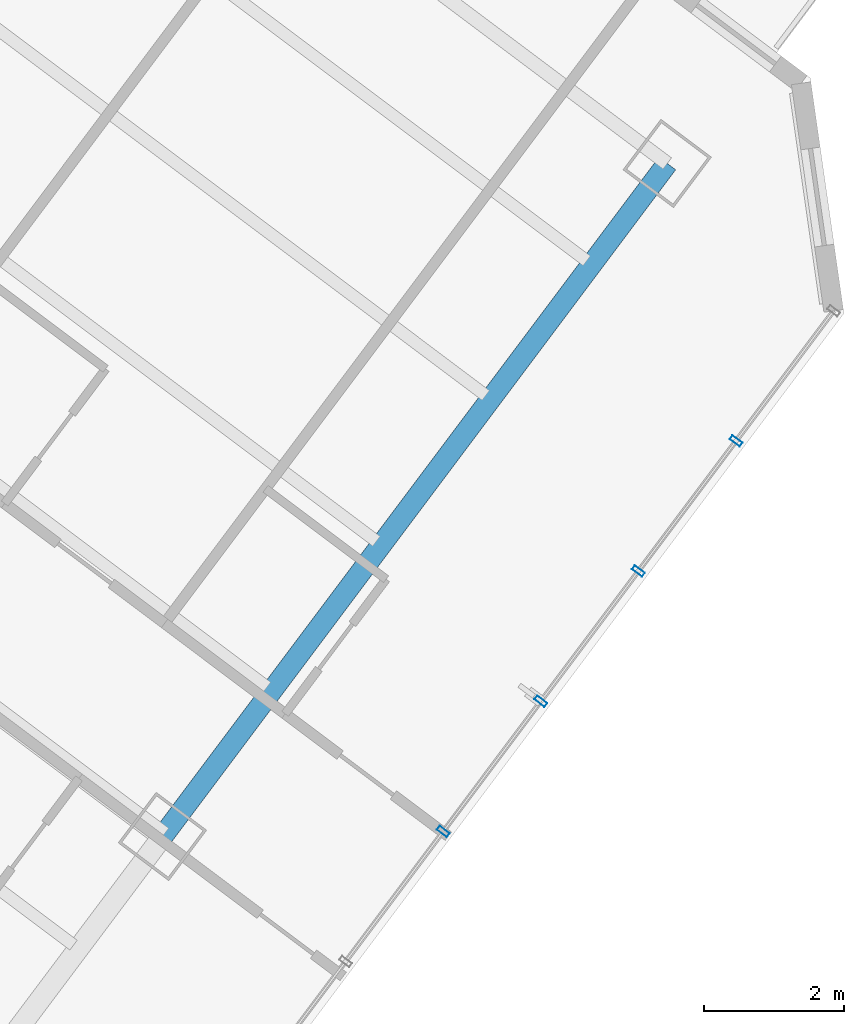
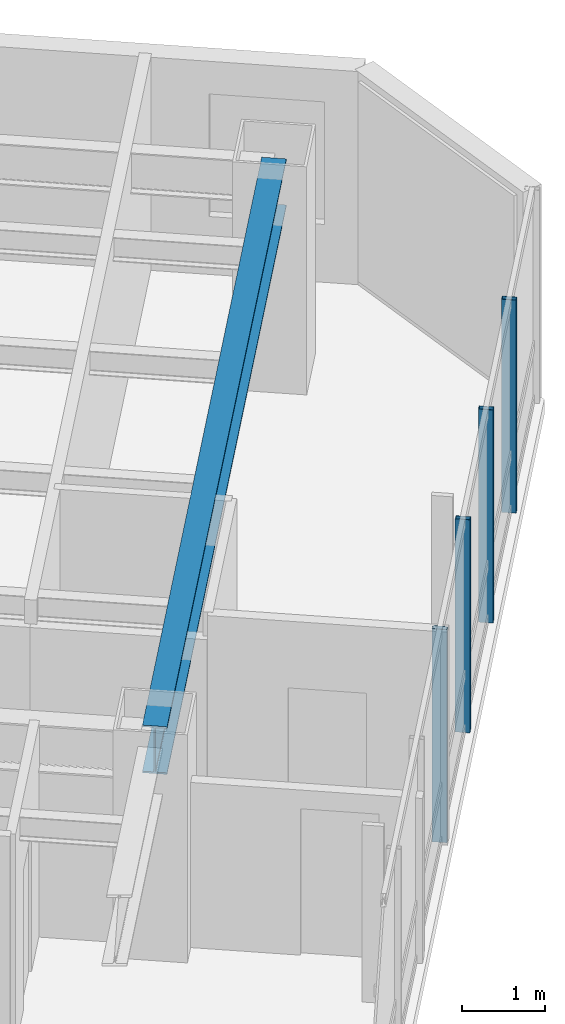
# One storey, part 10 of 31: 4 members, 1 beam, 1 element without a shape of its own.
"""IFC4 building model written with IfcOpenShell, lengths in metres."""

from ifc_helpers import new_model, si_unit, direction, frame, origin, origin_2d, place, context, subcontext, project, spatial, hollow_rectangle, i_section, extrude, material, layer, layer_set, material_profile, profile_set, type_object, element, aggregate, save


model = new_model("IFC4")

# Units and contexts
model_context = context("Model", 3, precision=1e-05, world=origin(), true_north=direction((0.0, 1.0)))
body_context = subcontext(model_context, "Body", "Model", "MODEL_VIEW")
ifc_project = project(units=[si_unit("LENGTHUNIT", "METRE"), si_unit("AREAUNIT", "SQUARE_METRE"), si_unit("VOLUMEUNIT", "CUBIC_METRE"), si_unit("PLANEANGLEUNIT", "RADIAN"), si_unit("MASSUNIT", "GRAM", prefix="KILO")], contexts=[model_context])

# Site, building, storey
site_placement = place(None, origin())
site = spatial("IfcSite", under=ifc_project, at=site_placement, CompositionType="ELEMENT")
building_placement = place(site_placement, origin())
building = spatial("IfcBuilding", under=site, at=building_placement, Name="Hatsunagi Terrace Concourse", CompositionType="ELEMENT")
storey_placement = place(building_placement, frame((0.0, 0.0, 81.300048828125)))
storey = spatial("IfcBuildingStorey", under=building, at=storey_placement, Name="L21", CompositionType="ELEMENT", Elevation=81.300048828125)

# Curtain wall, members
ifc_material_1 = material(Name="Anodised Aluminium Alloy 6063-T5", Category="aluminium")
ifc_layer = layer(ifc_material_1, 0.199951171875)
ifc_layer_set = layer_set([ifc_layer], Name="HotelFacade_CW02")
curtain_wall_type = type_object("IfcCurtainWallType", Name="HotelFacade_CW02", PredefinedType="NOTDEFINED", material=ifc_layer_set)
curtain_wall_placement = place(storey_placement, origin())
curtain_wall = element("IfcCurtainWall", 1, at=curtain_wall_placement, inside=storey, type_object=curtain_wall_type, Name="Unitised Curtain Wall CW-02 CW-L21-03", PredefinedType="NOTDEFINED")
ifc_material_2 = material(Name="Anodised Aluminium Alloy 6063-T5", Category="aluminium")
ifc_material_profile_1 = material_profile(ifc_material_2, hollow_rectangle(XDim=0.070068359375, YDim=0.179931640625, WallThickness=0.00390625, at=origin_2d()), Name="ALU-MUL-180x70x4")
ifc_profile_set_1 = profile_set([ifc_material_profile_1], Name="Anodised Aluminium Alloy 6063-T5")
member_type = type_object("IfcMemberType", Name="CurtainWallMullion_180x70", PredefinedType="MULLION", material=ifc_profile_set_1)
member_1_placement = place(storey_placement, frame((67.700927734375, 17.802001953125, 0.0), z_axis=(0.0, 0.0, 1.0), x_axis=(-0.599969314634, -0.800023013105, 0.0)))
member_1 = element("IfcMember", 2, at=member_1_placement, type_object=member_type, Name="Curtain Wall Mullion MUL-02", PredefinedType="MULLION", context=body_context, shape_type="SweptSolid", body=[
    extrude(hollow_rectangle(XDim=0.070068359375, YDim=0.179931640625, WallThickness=0.00390625, at=origin_2d()), origin(), (0.0, 0.0, 1.0), 3.1298828125),
])
member_2_placement = place(storey_placement, frame((66.30908203125, 15.945068359375, 0.0), z_axis=(0.0, 0.0, 1.0), x_axis=(-0.599969314634, -0.800023013105, 0.0)))
member_2 = element("IfcMember", 3, at=member_2_placement, type_object=member_type, Name="Curtain Wall Mullion MUL-02", PredefinedType="MULLION", context=body_context, shape_type="SweptSolid", body=[
    extrude(hollow_rectangle(XDim=0.070068359375, YDim=0.179931640625, WallThickness=0.00390625, at=origin_2d()), origin(), (0.0, 0.0, 1.0), 3.1298828125),
])
member_3_placement = place(storey_placement, frame((64.916015625, 14.089111328125, 0.0), z_axis=(0.0, 0.0, 1.0), x_axis=(-0.599969314634, -0.800023013105, 0.0)))
member_3 = element("IfcMember", 4, at=member_3_placement, type_object=member_type, Name="Curtain Wall Mullion MUL-02", PredefinedType="MULLION", context=body_context, shape_type="SweptSolid", body=[
    extrude(hollow_rectangle(XDim=0.070068359375, YDim=0.179931640625, WallThickness=0.00390625, at=origin_2d()), origin(), (0.0, 0.0, 1.0), 3.1298828125),
])
member_4_placement = place(storey_placement, frame((63.52392578125, 12.23193359375, 0.0), z_axis=(0.0, 0.0, 1.0), x_axis=(-0.599969314634, -0.800023013105, 0.0)))
member_4 = element("IfcMember", 5, at=member_4_placement, type_object=member_type, Name="Curtain Wall Mullion MUL-02", PredefinedType="MULLION", context=body_context, shape_type="SweptSolid", body=[
    extrude(hollow_rectangle(XDim=0.070068359375, YDim=0.179931640625, WallThickness=0.00390625, at=origin_2d()), origin(), (0.0, 0.0, 1.0), 3.1298828125),
])
aggregate(curtain_wall, [member_1, member_2, member_3, member_4])

# Beam
ifc_material_3 = material(Name="Steel SN490B", Category="steel")
ifc_material_profile_2 = material_profile(ifc_material_3, i_section(OverallWidth=0.300048828125, OverallDepth=0.699951171875, WebThickness=0.012939453125, FlangeThickness=0.02392578125, FilletRadius=0.02197265625, at=origin_2d()), Name="H-700x300x13x24")
ifc_profile_set_2 = profile_set([ifc_material_profile_2], Name="Steel SN490B")
beam_type = type_object("IfcBeamType", Name="HotelFloorGirder_H_700x300", PredefinedType="BEAM", material=ifc_profile_set_2)
beam_placement = place(storey_placement, frame((59.52001953125, 12.159912109375, 2.780029296875), z_axis=(0.59999348959, 0.800004882766, 0.0), x_axis=(-0.800004882766, 0.59999348959, 0.0)))
element("IfcBeam", 6, at=beam_placement, inside=storey, type_object=beam_type, Name="Beam G-04 BM-L21-SET-3B", PredefinedType="BEAM", context=body_context, shape_type="SweptSolid", body=[
    extrude(i_section(OverallWidth=0.300048828125, OverallDepth=0.699951171875, WebThickness=0.012939453125, FlangeThickness=0.02392578125, FilletRadius=0.02197265625, at=origin_2d()), origin(), (0.0, 0.0, 1.0), 12.0),
])

save(model, "model.ifc")
